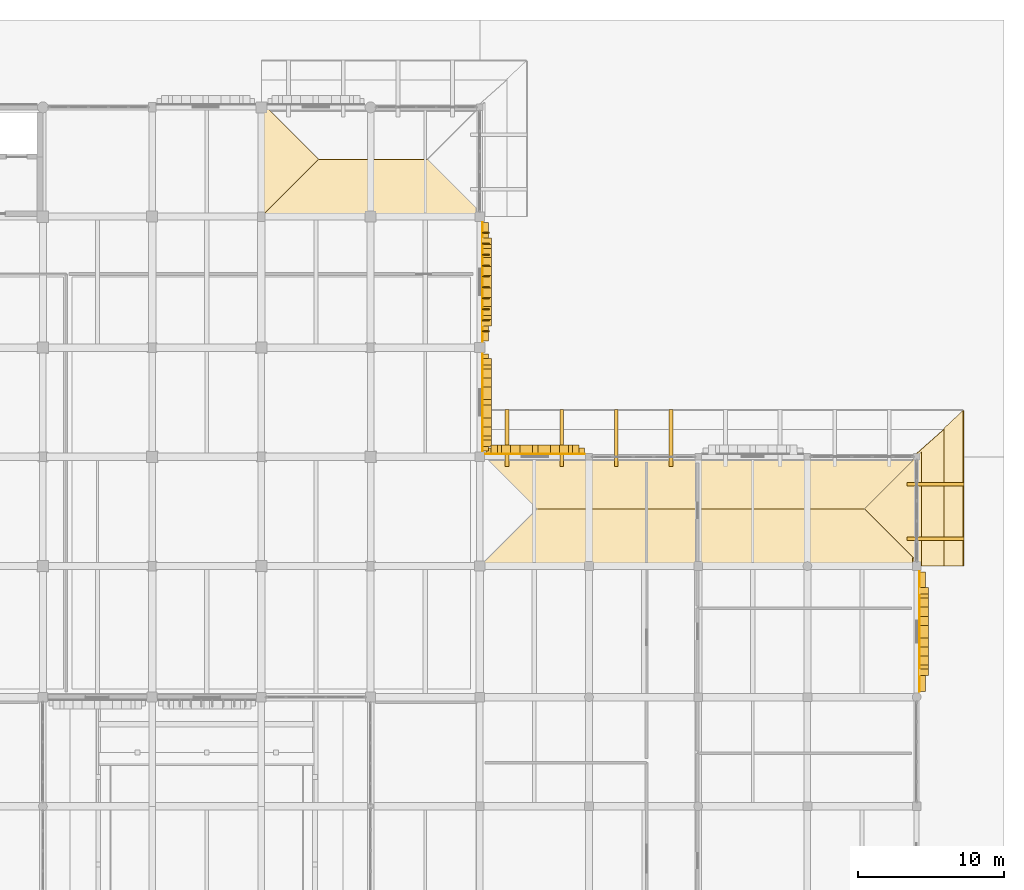
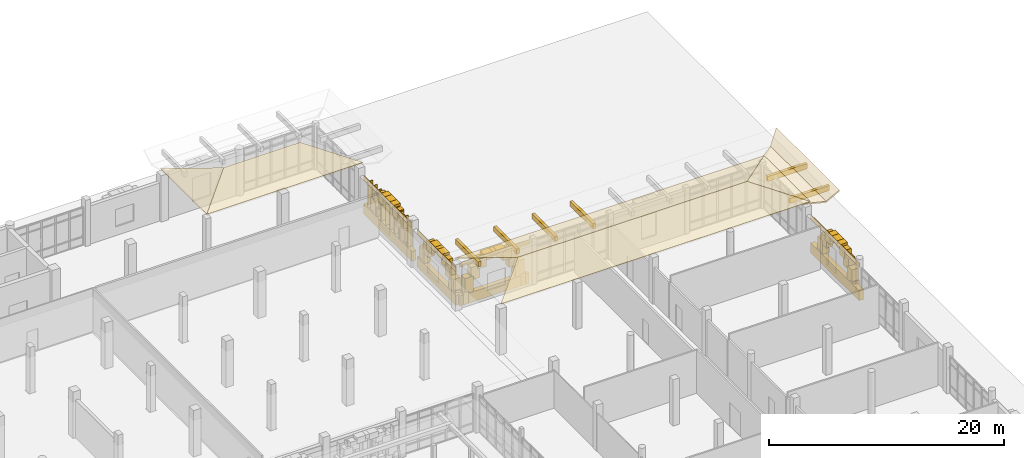
# One storey, part 124 of 125: 65 coverings, 10 shading devices.
"""IFC4 building model written with IfcOpenShell, lengths in metres."""

from ifc_helpers import new_model, si_unit, direction, frame, origin, origin_2d, place, context, subcontext, project, spatial, polyline, rectangle, outline, extrude, material, layer, layer_set, type_object, element, save


model = new_model("IFC4")

# Units and contexts
model_context = context("Model", 3, precision=1e-05, world=origin(), true_north=direction((0.0, 1.0)))
body_context = subcontext(model_context, "Body", "Model", "MODEL_VIEW")
ifc_project = project(units=[si_unit("LENGTHUNIT", "METRE"), si_unit("AREAUNIT", "SQUARE_METRE"), si_unit("VOLUMEUNIT", "CUBIC_METRE"), si_unit("PLANEANGLEUNIT", "RADIAN"), si_unit("MASSUNIT", "GRAM", prefix="KILO")], contexts=[model_context])

# Site, building, storey
site_placement = place(None, origin())
site = spatial("IfcSite", under=ifc_project, at=site_placement, CompositionType="ELEMENT")
building_placement = place(site_placement, origin())
building = spatial("IfcBuilding", under=site, at=building_placement, Name="Dalvernix Boulevard General Hospital", CompositionType="ELEMENT")
storey_placement = place(building_placement, origin())
storey = spatial("IfcBuildingStorey", under=building, at=storey_placement, Name="L00", CompositionType="ELEMENT", Elevation=0.0)

# Coverings
ifc_material_1 = material(Name="Pressed Catalan clay brick and dressed limestone parabolic archivolt", Category="masonry")
ifc_layer_1 = layer(ifc_material_1, 0.419921875)
ifc_layer_set_1 = layer_set([ifc_layer_1], Name="Pressed Catalan clay brick and dressed limestone parabolic archivolt (COV-ARC-01)")
covering_type_1 = type_object("IfcCoveringType", Name="COV-ARC-01", PredefinedType="CLADDING", material=ifc_layer_set_1)
for number, where, z_axis, x_axis, name in (
    (1, (142.985107421875, 99.53759765625, 0.0), (0.0, 0.0, 1.0), (0.0, -1.0, 0.0), "L00 Catalan parabolic arch impost pier E 19-12-L"),
    (2, (142.985107421875, 93.9375, 0.0), (0.0, 0.0, 1.0), (0.0, -1.0, 0.0), "L00 Catalan parabolic arch impost pier E 19-12-R"),
):
    element("IfcCovering", number, at=place(storey_placement, frame(where, z_axis=z_axis, x_axis=x_axis)), inside=storey, type_object=covering_type_1, Name=name, PredefinedType="CLADDING", context=body_context, shape_type="SweptSolid", body=[
        extrude(rectangle(XDim=0.4599609375, YDim=0.659912109375, at=origin_2d()), origin(), (0.0, 0.0, 1.0), 1.25),
    ])
covering_1_placement = place(storey_placement, frame((142.985107421875, 99.226318359375, 1.06005859375), z_axis=(0.0, 0.0, 1.0), x_axis=(0.0, -1.0, 0.0)))
element("IfcCovering", 3, at=covering_1_placement, inside=storey, type_object=covering_type_1, Name="L00 Catalan parabolic archivolt voussoir E 19-12-1", PredefinedType="CLADDING", context=body_context, shape_type="SweptSolid", body=[
    extrude(rectangle(XDim=0.8623046875, YDim=0.659912109375, at=origin_2d()), origin(), (0.0, 0.0, 1.0), 1.37939453125),
])
covering_2_placement = place(storey_placement, frame((142.985107421875, 98.604248046875, 2.0595703125), z_axis=(0.0, 0.0, 1.0), x_axis=(0.0, -1.0, 0.0)))
element("IfcCovering", 4, at=covering_2_placement, inside=storey, type_object=covering_type_1, Name="L00 Catalan parabolic archivolt voussoir E 19-12-2", PredefinedType="CLADDING", context=body_context, shape_type="SweptSolid", body=[
    extrude(rectangle(XDim=0.8623046875, YDim=0.659912109375, at=origin_2d()), origin(), (0.0, 0.0, 1.0), 1.129638671875),
])
covering_3_placement = place(storey_placement, frame((142.985107421875, 97.98193359375, 2.80908203125), z_axis=(0.0, 0.0, 1.0), x_axis=(0.0, -1.0, 0.0)))
element("IfcCovering", 5, at=covering_3_placement, inside=storey, type_object=covering_type_1, Name="L00 Catalan parabolic archivolt voussoir E 19-12-3", PredefinedType="CLADDING", context=body_context, shape_type="SweptSolid", body=[
    extrude(rectangle(XDim=0.8623046875, YDim=0.659912109375, at=origin_2d()), origin(), (0.0, 0.0, 1.0), 0.8798828125),
])
covering_4_placement = place(storey_placement, frame((142.985107421875, 97.359619140625, 3.308837890625), z_axis=(0.0, 0.0, 1.0), x_axis=(0.0, -1.0, 0.0)))
element("IfcCovering", 6, at=covering_4_placement, inside=storey, type_object=covering_type_1, Name="L00 Catalan parabolic archivolt voussoir E 19-12-4", PredefinedType="CLADDING", context=body_context, shape_type="SweptSolid", body=[
    extrude(rectangle(XDim=0.8623046875, YDim=0.659912109375, at=origin_2d()), origin(), (0.0, 0.0, 1.0), 0.6298828125),
])
covering_5_placement = place(storey_placement, frame((142.985107421875, 96.737548828125, 3.558837890625), z_axis=(0.0, 0.0, 1.0), x_axis=(0.0, -1.0, 0.0)))
element("IfcCovering", 7, at=covering_5_placement, inside=storey, type_object=covering_type_1, Name="L00 Catalan parabolic archivolt voussoir E 19-12-5", PredefinedType="CLADDING", context=body_context, shape_type="SweptSolid", body=[
    extrude(rectangle(XDim=0.8623046875, YDim=0.659912109375, at=origin_2d()), origin(), (0.0, 0.0, 1.0), 0.3798828125),
])
covering_6_placement = place(storey_placement, frame((142.985107421875, 96.115234375, 3.308837890625), z_axis=(0.0, 0.0, 1.0), x_axis=(0.0, -1.0, 0.0)))
element("IfcCovering", 8, at=covering_6_placement, inside=storey, type_object=covering_type_1, Name="L00 Catalan parabolic archivolt voussoir E 19-12-6", PredefinedType="CLADDING", context=body_context, shape_type="SweptSolid", body=[
    extrude(rectangle(XDim=0.8623046875, YDim=0.659912109375, at=origin_2d()), origin(), (0.0, 0.0, 1.0), 0.6298828125),
])
covering_7_placement = place(storey_placement, frame((142.985107421875, 95.4931640625, 2.80908203125), z_axis=(0.0, 0.0, 1.0), x_axis=(0.0, -1.0, 0.0)))
element("IfcCovering", 9, at=covering_7_placement, inside=storey, type_object=covering_type_1, Name="L00 Catalan parabolic archivolt voussoir E 19-12-7", PredefinedType="CLADDING", context=body_context, shape_type="SweptSolid", body=[
    extrude(rectangle(XDim=0.8623046875, YDim=0.659912109375, at=origin_2d()), origin(), (0.0, 0.0, 1.0), 0.8798828125),
])
covering_8_placement = place(storey_placement, frame((142.985107421875, 94.870849609375, 2.0595703125), z_axis=(0.0, 0.0, 1.0), x_axis=(0.0, -1.0, 0.0)))
element("IfcCovering", 10, at=covering_8_placement, inside=storey, type_object=covering_type_1, Name="L00 Catalan parabolic archivolt voussoir E 19-12-8", PredefinedType="CLADDING", context=body_context, shape_type="SweptSolid", body=[
    extrude(rectangle(XDim=0.8623046875, YDim=0.659912109375, at=origin_2d()), origin(), (0.0, 0.0, 1.0), 1.129638671875),
])
covering_9_placement = place(storey_placement, frame((142.985107421875, 94.24853515625, 1.06005859375), z_axis=(0.0, 0.0, 1.0), x_axis=(0.0, -1.0, 0.0)))
element("IfcCovering", 11, at=covering_9_placement, inside=storey, type_object=covering_type_1, Name="L00 Catalan parabolic archivolt voussoir E 19-12-9", PredefinedType="CLADDING", context=body_context, shape_type="SweptSolid", body=[
    extrude(rectangle(XDim=0.8623046875, YDim=0.659912109375, at=origin_2d()), origin(), (0.0, 0.0, 1.0), 1.37939453125),
])
for number, where, z_axis, x_axis, name in (
    (12, (142.985107421875, 107.8125, 0.0), (0.0, 0.0, 1.0), (0.0, -1.0, 0.0), "L00 Catalan parabolic arch impost pier E 19-13-L"),
    (13, (142.985107421875, 102.21240234375, 0.0), (0.0, 0.0, 1.0), (0.0, -1.0, 0.0), "L00 Catalan parabolic arch impost pier E 19-13-R"),
):
    element("IfcCovering", number, at=place(storey_placement, frame(where, z_axis=z_axis, x_axis=x_axis)), inside=storey, type_object=covering_type_1, Name=name, PredefinedType="CLADDING", context=body_context, shape_type="SweptSolid", body=[
        extrude(rectangle(XDim=0.4599609375, YDim=0.659912109375, at=origin_2d()), origin(), (0.0, 0.0, 1.0), 1.25),
    ])
covering_10_placement = place(storey_placement, frame((142.985107421875, 107.50146484375, 1.059814453125), z_axis=(0.0, 0.0, 1.0), x_axis=(0.0, -1.0, 0.0)))
element("IfcCovering", 14, at=covering_10_placement, inside=storey, type_object=covering_type_1, Name="L00 Catalan parabolic archivolt voussoir E 19-13-1", PredefinedType="CLADDING", context=body_context, shape_type="SweptSolid", body=[
    extrude(rectangle(XDim=0.8623046875, YDim=0.659912109375, at=origin_2d()), origin(), (0.0, 0.0, 1.0), 1.3994140625),
])
covering_11_placement = place(storey_placement, frame((142.985107421875, 106.879150390625, 2.07958984375), z_axis=(0.0, 0.0, 1.0), x_axis=(0.0, -1.0, 0.0)))
element("IfcCovering", 15, at=covering_11_placement, inside=storey, type_object=covering_type_1, Name="L00 Catalan parabolic archivolt voussoir E 19-13-2", PredefinedType="CLADDING", context=body_context, shape_type="SweptSolid", body=[
    extrude(rectangle(XDim=0.8623046875, YDim=0.659912109375, at=origin_2d()), origin(), (0.0, 0.0, 1.0), 1.144287109375),
])
covering_12_placement = place(storey_placement, frame((142.985107421875, 106.2568359375, 2.84375), z_axis=(0.0, 0.0, 1.0), x_axis=(0.0, -1.0, 0.0)))
element("IfcCovering", 16, at=covering_12_placement, inside=storey, type_object=covering_type_1, Name="L00 Catalan parabolic archivolt voussoir E 19-13-3", PredefinedType="CLADDING", context=body_context, shape_type="SweptSolid", body=[
    extrude(rectangle(XDim=0.8623046875, YDim=0.659912109375, at=origin_2d()), origin(), (0.0, 0.0, 1.0), 0.8896484375),
])
covering_13_placement = place(storey_placement, frame((142.985107421875, 105.634765625, 3.353271484375), z_axis=(0.0, 0.0, 1.0), x_axis=(0.0, -1.0, 0.0)))
element("IfcCovering", 17, at=covering_13_placement, inside=storey, type_object=covering_type_1, Name="L00 Catalan parabolic archivolt voussoir E 19-13-4", PredefinedType="CLADDING", context=body_context, shape_type="SweptSolid", body=[
    extrude(rectangle(XDim=0.8623046875, YDim=0.659912109375, at=origin_2d()), origin(), (0.0, 0.0, 1.0), 0.634765625),
])
covering_14_placement = place(storey_placement, frame((142.985107421875, 105.012451171875, 3.608154296875), z_axis=(0.0, 0.0, 1.0), x_axis=(0.0, -1.0, 0.0)))
element("IfcCovering", 18, at=covering_14_placement, inside=storey, type_object=covering_type_1, Name="L00 Catalan parabolic archivolt voussoir E 19-13-5", PredefinedType="CLADDING", context=body_context, shape_type="SweptSolid", body=[
    extrude(rectangle(XDim=0.8623046875, YDim=0.659912109375, at=origin_2d()), origin(), (0.0, 0.0, 1.0), 0.3798828125),
])
covering_15_placement = place(storey_placement, frame((142.985107421875, 104.390380859375, 3.353271484375), z_axis=(0.0, 0.0, 1.0), x_axis=(0.0, -1.0, 0.0)))
element("IfcCovering", 19, at=covering_15_placement, inside=storey, type_object=covering_type_1, Name="L00 Catalan parabolic archivolt voussoir E 19-13-6", PredefinedType="CLADDING", context=body_context, shape_type="SweptSolid", body=[
    extrude(rectangle(XDim=0.8623046875, YDim=0.659912109375, at=origin_2d()), origin(), (0.0, 0.0, 1.0), 0.634765625),
])
covering_16_placement = place(storey_placement, frame((142.985107421875, 103.76806640625, 2.84375), z_axis=(0.0, 0.0, 1.0), x_axis=(0.0, -1.0, 0.0)))
element("IfcCovering", 20, at=covering_16_placement, inside=storey, type_object=covering_type_1, Name="L00 Catalan parabolic archivolt voussoir E 19-13-7", PredefinedType="CLADDING", context=body_context, shape_type="SweptSolid", body=[
    extrude(rectangle(XDim=0.8623046875, YDim=0.659912109375, at=origin_2d()), origin(), (0.0, 0.0, 1.0), 0.8896484375),
])
covering_17_placement = place(storey_placement, frame((142.985107421875, 103.145751953125, 2.07958984375), z_axis=(0.0, 0.0, 1.0), x_axis=(0.0, -1.0, 0.0)))
element("IfcCovering", 21, at=covering_17_placement, inside=storey, type_object=covering_type_1, Name="L00 Catalan parabolic archivolt voussoir E 19-13-8", PredefinedType="CLADDING", context=body_context, shape_type="SweptSolid", body=[
    extrude(rectangle(XDim=0.8623046875, YDim=0.659912109375, at=origin_2d()), origin(), (0.0, 0.0, 1.0), 1.144287109375),
])
covering_18_placement = place(storey_placement, frame((142.985107421875, 102.523681640625, 1.059814453125), z_axis=(0.0, 0.0, 1.0), x_axis=(0.0, -1.0, 0.0)))
element("IfcCovering", 22, at=covering_18_placement, inside=storey, type_object=covering_type_1, Name="L00 Catalan parabolic archivolt voussoir E 19-13-9", PredefinedType="CLADDING", context=body_context, shape_type="SweptSolid", body=[
    extrude(rectangle(XDim=0.8623046875, YDim=0.659912109375, at=origin_2d()), origin(), (0.0, 0.0, 1.0), 1.3994140625),
])
for number, where, z_axis, x_axis, name in (
    (23, (143.5, 93.485107421875, 0.0), (0.0, 0.0, 1.0), (1.0, 0.0, 0.0), "L00 Catalan parabolic arch impost pier N 19-12-L"),
    (24, (149.10009765625, 93.485107421875, 0.0), (0.0, 0.0, 1.0), (1.0, 0.0, 0.0), "L00 Catalan parabolic arch impost pier N 19-12-R"),
):
    element("IfcCovering", number, at=place(storey_placement, frame(where, z_axis=z_axis, x_axis=x_axis)), inside=storey, type_object=covering_type_1, Name=name, PredefinedType="CLADDING", context=body_context, shape_type="SweptSolid", body=[
        extrude(rectangle(XDim=0.4599609375, YDim=0.659912109375, at=origin_2d()), origin(), (0.0, 0.0, 1.0), 1.25),
    ])
covering_19_placement = place(storey_placement, frame((143.81103515625, 93.485107421875, 1.06005859375), z_axis=(0.0, 0.0, 1.0), x_axis=(1.0, 0.0, 0.0)))
element("IfcCovering", 25, at=covering_19_placement, inside=storey, type_object=covering_type_1, Name="L00 Catalan parabolic archivolt voussoir N 19-12-1", PredefinedType="CLADDING", context=body_context, shape_type="SweptSolid", body=[
    extrude(rectangle(XDim=0.8623046875, YDim=0.659912109375, at=origin_2d()), origin(), (0.0, 0.0, 1.0), 1.616455078125),
])
covering_20_placement = place(storey_placement, frame((144.433349609375, 93.485107421875, 2.29638671875), z_axis=(0.0, 0.0, 1.0), x_axis=(1.0, 0.0, 0.0)))
element("IfcCovering", 26, at=covering_20_placement, inside=storey, type_object=covering_type_1, Name="L00 Catalan parabolic archivolt voussoir N 19-12-2", PredefinedType="CLADDING", context=body_context, shape_type="SweptSolid", body=[
    extrude(rectangle(XDim=0.8623046875, YDim=0.659912109375, at=origin_2d()), origin(), (0.0, 0.0, 1.0), 1.307373046875),
])
covering_21_placement = place(storey_placement, frame((145.0556640625, 93.485107421875, 3.22412109375), z_axis=(0.0, 0.0, 1.0), x_axis=(1.0, 0.0, 0.0)))
element("IfcCovering", 27, at=covering_21_placement, inside=storey, type_object=covering_type_1, Name="L00 Catalan parabolic archivolt voussoir N 19-12-3", PredefinedType="CLADDING", context=body_context, shape_type="SweptSolid", body=[
    extrude(rectangle(XDim=0.8623046875, YDim=0.659912109375, at=origin_2d()), origin(), (0.0, 0.0, 1.0), 0.998291015625),
])
covering_22_placement = place(storey_placement, frame((145.677734375, 93.485107421875, 3.84228515625), z_axis=(0.0, 0.0, 1.0), x_axis=(1.0, 0.0, 0.0)))
element("IfcCovering", 28, at=covering_22_placement, inside=storey, type_object=covering_type_1, Name="L00 Catalan parabolic archivolt voussoir N 19-12-4", PredefinedType="CLADDING", context=body_context, shape_type="SweptSolid", body=[
    extrude(rectangle(XDim=0.8623046875, YDim=0.659912109375, at=origin_2d()), origin(), (0.0, 0.0, 1.0), 0.689208984375),
])
covering_23_placement = place(storey_placement, frame((146.300048828125, 93.485107421875, 4.1513671875), z_axis=(0.0, 0.0, 1.0), x_axis=(1.0, 0.0, 0.0)))
element("IfcCovering", 29, at=covering_23_placement, inside=storey, type_object=covering_type_1, Name="L00 Catalan parabolic archivolt voussoir N 19-12-5", PredefinedType="CLADDING", context=body_context, shape_type="SweptSolid", body=[
    extrude(rectangle(XDim=0.8623046875, YDim=0.659912109375, at=origin_2d()), origin(), (0.0, 0.0, 1.0), 0.3798828125),
])
covering_24_placement = place(storey_placement, frame((146.922119140625, 93.485107421875, 3.84228515625), z_axis=(0.0, 0.0, 1.0), x_axis=(1.0, 0.0, 0.0)))
element("IfcCovering", 30, at=covering_24_placement, inside=storey, type_object=covering_type_1, Name="L00 Catalan parabolic archivolt voussoir N 19-12-6", PredefinedType="CLADDING", context=body_context, shape_type="SweptSolid", body=[
    extrude(rectangle(XDim=0.8623046875, YDim=0.659912109375, at=origin_2d()), origin(), (0.0, 0.0, 1.0), 0.689208984375),
])
covering_25_placement = place(storey_placement, frame((147.54443359375, 93.485107421875, 3.22412109375), z_axis=(0.0, 0.0, 1.0), x_axis=(1.0, 0.0, 0.0)))
element("IfcCovering", 31, at=covering_25_placement, inside=storey, type_object=covering_type_1, Name="L00 Catalan parabolic archivolt voussoir N 19-12-7", PredefinedType="CLADDING", context=body_context, shape_type="SweptSolid", body=[
    extrude(rectangle(XDim=0.8623046875, YDim=0.659912109375, at=origin_2d()), origin(), (0.0, 0.0, 1.0), 0.998291015625),
])
covering_26_placement = place(storey_placement, frame((148.166748046875, 93.485107421875, 2.29638671875), z_axis=(0.0, 0.0, 1.0), x_axis=(1.0, 0.0, 0.0)))
element("IfcCovering", 32, at=covering_26_placement, inside=storey, type_object=covering_type_1, Name="L00 Catalan parabolic archivolt voussoir N 19-12-8", PredefinedType="CLADDING", context=body_context, shape_type="SweptSolid", body=[
    extrude(rectangle(XDim=0.8623046875, YDim=0.659912109375, at=origin_2d()), origin(), (0.0, 0.0, 1.0), 1.307373046875),
])
covering_27_placement = place(storey_placement, frame((148.788818359375, 93.485107421875, 1.06005859375), z_axis=(0.0, 0.0, 1.0), x_axis=(1.0, 0.0, 0.0)))
element("IfcCovering", 33, at=covering_27_placement, inside=storey, type_object=covering_type_1, Name="L00 Catalan parabolic archivolt voussoir N 19-12-9", PredefinedType="CLADDING", context=body_context, shape_type="SweptSolid", body=[
    extrude(rectangle(XDim=0.8623046875, YDim=0.659912109375, at=origin_2d()), origin(), (0.0, 0.0, 1.0), 1.616455078125),
])
for number, where, z_axis, x_axis, name in (
    (34, (172.985107421875, 83.800048828125, 0.0), (0.0, 0.0, 1.0), (0.0, -1.0, 0.0), "L00 Catalan parabolic arch impost pier E 23-10-L"),
    (35, (172.985107421875, 78.199951171875, 0.0), (0.0, 0.0, 1.0), (0.0, -1.0, 0.0), "L00 Catalan parabolic arch impost pier E 23-10-R"),
):
    element("IfcCovering", number, at=place(storey_placement, frame(where, z_axis=z_axis, x_axis=x_axis)), inside=storey, type_object=covering_type_1, Name=name, PredefinedType="CLADDING", context=body_context, shape_type="SweptSolid", body=[
        extrude(rectangle(XDim=0.4599609375, YDim=0.659912109375, at=origin_2d()), origin(), (0.0, 0.0, 1.0), 1.25),
    ])
covering_28_placement = place(storey_placement, frame((172.985107421875, 83.489013671875, 1.059814453125), z_axis=(0.0, 0.0, 1.0), x_axis=(0.0, -1.0, 0.0)))
element("IfcCovering", 36, at=covering_28_placement, inside=storey, type_object=covering_type_1, Name="L00 Catalan parabolic archivolt voussoir E 23-10-1", PredefinedType="CLADDING", context=body_context, shape_type="SweptSolid", body=[
    extrude(rectangle(XDim=0.8623046875, YDim=0.659912109375, at=origin_2d()), origin(), (0.0, 0.0, 1.0), 1.3994140625),
])
covering_29_placement = place(storey_placement, frame((172.985107421875, 82.86669921875, 2.07958984375), z_axis=(0.0, 0.0, 1.0), x_axis=(0.0, -1.0, 0.0)))
element("IfcCovering", 37, at=covering_29_placement, inside=storey, type_object=covering_type_1, Name="L00 Catalan parabolic archivolt voussoir E 23-10-2", PredefinedType="CLADDING", context=body_context, shape_type="SweptSolid", body=[
    extrude(rectangle(XDim=0.8623046875, YDim=0.659912109375, at=origin_2d()), origin(), (0.0, 0.0, 1.0), 1.144287109375),
])
covering_30_placement = place(storey_placement, frame((172.985107421875, 82.244384765625, 2.84375), z_axis=(0.0, 0.0, 1.0), x_axis=(0.0, -1.0, 0.0)))
element("IfcCovering", 38, at=covering_30_placement, inside=storey, type_object=covering_type_1, Name="L00 Catalan parabolic archivolt voussoir E 23-10-3", PredefinedType="CLADDING", context=body_context, shape_type="SweptSolid", body=[
    extrude(rectangle(XDim=0.8623046875, YDim=0.659912109375, at=origin_2d()), origin(), (0.0, 0.0, 1.0), 0.8896484375),
])
covering_31_placement = place(storey_placement, frame((172.985107421875, 81.622314453125, 3.353271484375), z_axis=(0.0, 0.0, 1.0), x_axis=(0.0, -1.0, 0.0)))
element("IfcCovering", 39, at=covering_31_placement, inside=storey, type_object=covering_type_1, Name="L00 Catalan parabolic archivolt voussoir E 23-10-4", PredefinedType="CLADDING", context=body_context, shape_type="SweptSolid", body=[
    extrude(rectangle(XDim=0.8623046875, YDim=0.659912109375, at=origin_2d()), origin(), (0.0, 0.0, 1.0), 0.634765625),
])
covering_32_placement = place(storey_placement, frame((172.985107421875, 81.0, 3.608154296875), z_axis=(0.0, 0.0, 1.0), x_axis=(0.0, -1.0, 0.0)))
element("IfcCovering", 40, at=covering_32_placement, inside=storey, type_object=covering_type_1, Name="L00 Catalan parabolic archivolt voussoir E 23-10-5", PredefinedType="CLADDING", context=body_context, shape_type="SweptSolid", body=[
    extrude(rectangle(XDim=0.8623046875, YDim=0.659912109375, at=origin_2d()), origin(), (0.0, 0.0, 1.0), 0.3798828125),
])
covering_33_placement = place(storey_placement, frame((172.985107421875, 80.377685546875, 3.353271484375), z_axis=(0.0, 0.0, 1.0), x_axis=(0.0, -1.0, 0.0)))
element("IfcCovering", 41, at=covering_33_placement, inside=storey, type_object=covering_type_1, Name="L00 Catalan parabolic archivolt voussoir E 23-10-6", PredefinedType="CLADDING", context=body_context, shape_type="SweptSolid", body=[
    extrude(rectangle(XDim=0.8623046875, YDim=0.659912109375, at=origin_2d()), origin(), (0.0, 0.0, 1.0), 0.634765625),
])
covering_34_placement = place(storey_placement, frame((172.985107421875, 79.755615234375, 2.84375), z_axis=(0.0, 0.0, 1.0), x_axis=(0.0, -1.0, 0.0)))
element("IfcCovering", 42, at=covering_34_placement, inside=storey, type_object=covering_type_1, Name="L00 Catalan parabolic archivolt voussoir E 23-10-7", PredefinedType="CLADDING", context=body_context, shape_type="SweptSolid", body=[
    extrude(rectangle(XDim=0.8623046875, YDim=0.659912109375, at=origin_2d()), origin(), (0.0, 0.0, 1.0), 0.8896484375),
])
covering_35_placement = place(storey_placement, frame((172.985107421875, 79.13330078125, 2.07958984375), z_axis=(0.0, 0.0, 1.0), x_axis=(0.0, -1.0, 0.0)))
element("IfcCovering", 43, at=covering_35_placement, inside=storey, type_object=covering_type_1, Name="L00 Catalan parabolic archivolt voussoir E 23-10-8", PredefinedType="CLADDING", context=body_context, shape_type="SweptSolid", body=[
    extrude(rectangle(XDim=0.8623046875, YDim=0.659912109375, at=origin_2d()), origin(), (0.0, 0.0, 1.0), 1.144287109375),
])
covering_36_placement = place(storey_placement, frame((172.985107421875, 78.510986328125, 1.059814453125), z_axis=(0.0, 0.0, 1.0), x_axis=(0.0, -1.0, 0.0)))
element("IfcCovering", 44, at=covering_36_placement, inside=storey, type_object=covering_type_1, Name="L00 Catalan parabolic archivolt voussoir E 23-10-9", PredefinedType="CLADDING", context=body_context, shape_type="SweptSolid", body=[
    extrude(rectangle(XDim=0.8623046875, YDim=0.659912109375, at=origin_2d()), origin(), (0.0, 0.0, 1.0), 1.3994140625),
])
ifc_material_2 = material(Name="Polychrome Catalan glazed ceramic spandrel tile panel")
ifc_layer_2 = layer(ifc_material_2, 0.044921875)
ifc_layer_set_2 = layer_set([ifc_layer_2], Name="Polychrome Catalan glazed ceramic spandrel tile panel (COV-CLD-01)")
covering_type_2 = type_object("IfcCoveringType", Name="COV-CLD-01", PredefinedType="CLADDING", material=ifc_layer_set_2)
covering_37_placement = place(storey_placement, frame((142.695068359375, 96.737548828125, 3.4248046875), z_axis=(0.0, 0.0, 1.0), x_axis=(0.0, -1.0, 0.0)))
element("IfcCovering", 45, at=covering_37_placement, inside=storey, type_object=covering_type_2, Name="L00 polychrome ceramic spandrel E 19-12", PredefinedType="CLADDING", context=body_context, shape_type="SweptSolid", body=[
    extrude(rectangle(XDim=6.705078125, YDim=0.044921875, at=origin_2d()), origin(), (0.0, 0.0, 1.0), 0.449951171875),
])
covering_38_placement = place(storey_placement, frame((142.695068359375, 105.012451171875, 3.47509765625), z_axis=(0.0, 0.0, 1.0), x_axis=(0.0, -1.0, 0.0)))
element("IfcCovering", 46, at=covering_38_placement, inside=storey, type_object=covering_type_2, Name="L00 polychrome ceramic spandrel E 19-13", PredefinedType="CLADDING", context=body_context, shape_type="SweptSolid", body=[
    extrude(rectangle(XDim=8.205078125, YDim=0.044921875, at=origin_2d()), origin(), (0.0, 0.0, 1.0), 0.449951171875),
])
covering_39_placement = place(storey_placement, frame((146.300048828125, 93.195068359375, 4.02490234375), z_axis=(0.0, 0.0, 1.0), x_axis=(1.0, 0.0, 0.0)))
element("IfcCovering", 47, at=covering_39_placement, inside=storey, type_object=covering_type_2, Name="L00 polychrome ceramic spandrel N 19-12", PredefinedType="CLADDING", context=body_context, shape_type="SweptSolid", body=[
    extrude(rectangle(XDim=6.830078125, YDim=0.044921875, at=origin_2d()), origin(), (0.0, 0.0, 1.0), 0.449951171875),
])
covering_40_placement = place(storey_placement, frame((172.695068359375, 81.0, 3.47509765625), z_axis=(0.0, 0.0, 1.0), x_axis=(0.0, -1.0, 0.0)))
element("IfcCovering", 48, at=covering_40_placement, inside=storey, type_object=covering_type_2, Name="L00 polychrome ceramic spandrel E 23-10", PredefinedType="CLADDING", context=body_context, shape_type="SweptSolid", body=[
    extrude(rectangle(XDim=8.280029296875, YDim=0.044921875, at=origin_2d()), origin(), (0.0, 0.0, 1.0), 0.449951171875),
])
ifc_material_3 = material(Name="Dressed ochre limestone classical plinth, stringcourse and corbelled cornice", Category="masonry")
ifc_layer_3 = layer(ifc_material_3, 0.449951171875)
ifc_layer_set_3 = layer_set([ifc_layer_3], Name="Dressed ochre limestone classical plinth, stringcourse and corbelled cornice (COV-CRN-01)")
covering_type_3 = type_object("IfcCoveringType", Name="COV-CRN-01", PredefinedType="CLADDING", material=ifc_layer_set_3)
covering_41_placement = place(storey_placement, frame((142.875, 96.737548828125, 0.0), z_axis=(0.0, 0.0, 1.0), x_axis=(0.0, -1.0, 0.0)))
element("IfcCovering", 49, at=covering_41_placement, inside=storey, type_object=covering_type_3, Name="L00 rusticated limestone classical plinth E 19-12", PredefinedType="CLADDING", context=body_context, shape_type="SweptSolid", body=[
    extrude(rectangle(XDim=6.64501953125, YDim=0.43994140625, at=origin_2d()), origin(), (0.0, 0.0, 1.0), 1.0400390625),
])
covering_42_placement = place(storey_placement, frame((142.875, 105.012451171875, 0.0), z_axis=(0.0, 0.0, 1.0), x_axis=(0.0, -1.0, 0.0)))
element("IfcCovering", 50, at=covering_42_placement, inside=storey, type_object=covering_type_3, Name="L00 rusticated limestone classical plinth E 19-13", PredefinedType="CLADDING", context=body_context, shape_type="SweptSolid", body=[
    extrude(rectangle(XDim=8.14501953125, YDim=0.43994140625, at=origin_2d()), origin(), (0.0, 0.0, 1.0), 1.0400390625),
])
covering_43_placement = place(storey_placement, frame((146.300048828125, 93.375, 0.0), z_axis=(0.0, 0.0, 1.0), x_axis=(1.0, 0.0, 0.0)))
element("IfcCovering", 51, at=covering_43_placement, inside=storey, type_object=covering_type_3, Name="L00 rusticated limestone classical plinth N 19-12", PredefinedType="CLADDING", context=body_context, shape_type="SweptSolid", body=[
    extrude(rectangle(XDim=6.77001953125, YDim=0.43994140625, at=origin_2d()), origin(), (0.0, 0.0, 1.0), 1.0400390625),
])
covering_44_placement = place(storey_placement, frame((172.875, 81.0, 0.0), z_axis=(0.0, 0.0, 1.0), x_axis=(0.0, -1.0, 0.0)))
element("IfcCovering", 52, at=covering_44_placement, inside=storey, type_object=covering_type_3, Name="L00 rusticated limestone classical plinth E 23-10", PredefinedType="CLADDING", context=body_context, shape_type="SweptSolid", body=[
    extrude(rectangle(XDim=8.219970703125, YDim=0.43994140625, at=origin_2d()), origin(), (0.0, 0.0, 1.0), 1.0400390625),
])
ifc_material_4 = material(Name="Glazed Catalan terracotta and iroko timber overhanging upturned eave", Category="masonry")
ifc_layer_4 = layer(ifc_material_4, 0.139892578125)
ifc_layer_set_4 = layer_set([ifc_layer_4], Name="Glazed Catalan terracotta and iroko timber overhanging upturned eave (COV-EAVE-01)")
covering_type_4 = type_object("IfcCoveringType", Name="COV-EAVE-01", PredefinedType="CLADDING", material=ifc_layer_set_4)
covering_45_placement = place(storey_placement, frame((172.25, 85.5, 5.006103515625), z_axis=(0.230038471981, 0.0, 0.97318153569), x_axis=(0.0, 1.0, 0.0)))
element("IfcCovering", 53, at=covering_45_placement, inside=storey, type_object=covering_type_4, Name="V2-L00N overhanging ceramic eave skirt E", PredefinedType="CLADDING", context=body_context, shape_type="SweptSolid", body=[
    extrude(outline(polyline([(0.0, 0.0), (7.5, 0.0), (9.449951171875, -2.2605763582581444), (0.0, -2.2605763582581444), (0.0, 0.0)])), origin(), (0.0, 0.0, -1.0), 0.139892578125),
])
covering_46_placement = place(storey_placement, frame((174.3701171875, 85.5, 4.486083984375), z_axis=(-0.476101106464, 0.0, 0.879390548291), x_axis=(0.0, 1.0, 0.0)))
element("IfcCovering", 54, at=covering_46_placement, inside=storey, type_object=covering_type_4, Name="V2-L00N upturned ceramic eave wing E", PredefinedType="CLADDING", context=body_context, shape_type="SweptSolid", body=[
    extrude(outline(polyline([(0.0, 0.0), (9.449951171875, 0.0), (10.699951171875, -1.5122222850351714), (0.0, -1.5122222850351714), (0.0, 0.0)])), origin(), (0.0, 0.0, -1.0), 0.139892578125),
])
ifc_material_5 = material(Name="Preservative-treated glulam GL28h eave outlooker corbel bracket", Category="wood")
ifc_layer_5 = layer(ifc_material_5, 0.239990234375)
ifc_layer_set_5 = layer_set([ifc_layer_5], Name="Preservative-treated glulam GL28h eave outlooker corbel bracket (COV-OUTLOOK-01)")
covering_type_5 = type_object("IfcCoveringType", Name="COV-OUTLOOK-01", PredefinedType="CLADDING", material=ifc_layer_set_5)
for number, where, z_axis, x_axis, name in (
    (55, (144.375, 94.300048828125, 4.0859375), (0.0, 0.0, 1.0), (1.0, 0.0, 0.0), "V2-L00N glulam eave outlooker corbel N-1"),
    (56, (148.125, 94.300048828125, 4.0859375), (0.0, 0.0, 1.0), (1.0, 0.0, 0.0), "V2-L00N glulam eave outlooker corbel N-2"),
    (57, (151.875, 94.300048828125, 4.0859375), (0.0, 0.0, 1.0), (1.0, 0.0, 0.0), "V2-L00N glulam eave outlooker corbel N-3"),
    (58, (155.625, 94.300048828125, 4.0859375), (0.0, 0.0, 1.0), (1.0, 0.0, 0.0), "V2-L00N glulam eave outlooker corbel N-4"),
):
    element("IfcCovering", number, at=place(storey_placement, frame(where, z_axis=z_axis, x_axis=x_axis)), inside=storey, type_object=covering_type_5, Name=name, PredefinedType="CLADDING", context=body_context, shape_type="SweptSolid", body=[
        extrude(rectangle(XDim=0.260009765625, YDim=3.89990234375, at=origin_2d()), origin(), (0.0, 0.0, 1.0), 0.52001953125),
    ])
for number, where, z_axis, x_axis, name in (
    (59, (173.800048828125, 87.375, 4.0859375), (0.0, 0.0, 1.0), (1.0, 0.0, 0.0), "V2-L00N glulam eave outlooker corbel E-1"),
    (60, (173.800048828125, 91.125, 4.0859375), (0.0, 0.0, 1.0), (1.0, 0.0, 0.0), "V2-L00N glulam eave outlooker corbel E-2"),
):
    element("IfcCovering", number, at=place(storey_placement, frame(where, z_axis=z_axis, x_axis=x_axis)), inside=storey, type_object=covering_type_5, Name=name, PredefinedType="CLADDING", context=body_context, shape_type="SweptSolid", body=[
        extrude(rectangle(XDim=3.89990234375, YDim=0.260009765625, at=origin_2d()), origin(), (0.0, 0.0, 1.0), 0.52001953125),
    ])
ifc_material_6 = material(Name="Polychrome Catalan glazed terracotta roof tiles", Category="masonry")
ifc_layer_6 = layer(ifc_material_6, 0.050048828125)
ifc_layer_set_6 = layer_set([ifc_layer_6], Name="Polychrome Catalan glazed terracotta roof tiles (COV-ROOF-01)")
covering_type_6 = type_object("IfcCoveringType", Name="COV-ROOF-01", PredefinedType="ROOFING", material=ifc_layer_set_6)
covering_47_placement = place(storey_placement, frame((127.5, 109.5, 5.01611328125), z_axis=(0.0, -0.265536966303, 0.964100679144), x_axis=(1.0, 0.0, 0.0)))
element("IfcCovering", 61, at=covering_47_placement, inside=storey, type_object=covering_type_6, Name="V3-L00NE glazed terracotta tile slope S", PredefinedType="ROOFING", context=body_context, shape_type="SweptSolid", body=[
    extrude(outline(polyline([(0.0, 0.0), (15.35009765625, 0.0), (11.425048828125, 4.07120222299644), (3.925048828125, 4.07120222299644), (0.0, 0.0)])), origin(), (0.0, 0.0, -1.0), 0.050048828125),
])
covering_48_placement = place(storey_placement, frame((127.5, 117.35009765625, 5.01611328125), z_axis=(-0.265536966303, 0.0, 0.964100679144), x_axis=(0.0, -1.0, 0.0)))
element("IfcCovering", 62, at=covering_48_placement, inside=storey, type_object=covering_type_6, Name="V3-L00NE glazed terracotta tile slope W", PredefinedType="ROOFING", context=body_context, shape_type="SweptSolid", body=[
    extrude(outline(polyline([(0.0, 0.0), (7.85009765625, 0.0), (3.925048828125, 4.07120222299644), (0.0, 0.0)])), origin(), (0.0, 0.0, -1.0), 0.050048828125),
])
for number, where, z_axis, x_axis, name in (
    (63, (142.5, 85.5, 5.01611328125), (0.0, -0.265536966303, 0.964100679144), (1.0, 0.0, 0.0), "V2-L00N glazed terracotta tile slope S"),
    (64, (172.85009765625, 93.35009765625, 5.01611328125), (0.0, 0.265536966303, 0.964100679144), (-1.0, 0.0, 0.0), "V2-L00N glazed terracotta tile slope N"),
):
    element("IfcCovering", number, at=place(storey_placement, frame(where, z_axis=z_axis, x_axis=x_axis)), inside=storey, type_object=covering_type_6, Name=name, PredefinedType="ROOFING", context=body_context, shape_type="SweptSolid", body=[
        extrude(outline(polyline([(0.0, 0.0), (30.35009765625, 0.0), (26.425048828125, 4.07120222299644), (3.925048828125, 4.07120222299644), (0.0, 0.0)])), origin(), (0.0, 0.0, -1.0), 0.050048828125),
    ])
covering_49_placement = place(storey_placement, frame((172.85009765625, 85.5, 5.01611328125), z_axis=(0.265536966303, 0.0, 0.964100679144), x_axis=(0.0, 1.0, 0.0)))
element("IfcCovering", 65, at=covering_49_placement, inside=storey, type_object=covering_type_6, Name="V2-L00N glazed terracotta tile slope E", PredefinedType="ROOFING", context=body_context, shape_type="SweptSolid", body=[
    extrude(outline(polyline([(0.0, 0.0), (7.85009765625, 0.0), (3.925048828125, 4.07120222299644), (0.0, 0.0)])), origin(), (0.0, 0.0, -1.0), 0.050048828125),
])

# Shading devices
ifc_material_7 = material(Name="Preservative-treated West African iroko timber", Category="wood")
shading_device_type = type_object("IfcShadingDeviceType", Name="SHD-FIN-01", PredefinedType="USERDEFINED", material=ifc_material_7)
for number, where, z_axis, x_axis, name in (
    (66, (142.905029296875, 108.387451171875, 0.175048828125), (0.0, 0.0, 1.0), (0.0, -1.0, 0.0), "L00 iroko brise-soleil fin 1"),
    (67, (142.905029296875, 107.637451171875, 0.175048828125), (0.0, 0.0, 1.0), (0.0, -1.0, 0.0), "L00 iroko brise-soleil fin 2"),
    (68, (142.905029296875, 106.887451171875, 0.175048828125), (0.0, 0.0, 1.0), (0.0, -1.0, 0.0), "L00 iroko brise-soleil fin 3"),
    (69, (142.905029296875, 106.137451171875, 0.175048828125), (0.0, 0.0, 1.0), (0.0, -1.0, 0.0), "L00 iroko brise-soleil fin 4"),
    (70, (142.905029296875, 105.387451171875, 0.175048828125), (0.0, 0.0, 1.0), (0.0, -1.0, 0.0), "L00 iroko brise-soleil fin 5"),
    (71, (142.905029296875, 104.637451171875, 0.175048828125), (0.0, 0.0, 1.0), (0.0, -1.0, 0.0), "L00 iroko brise-soleil fin 6"),
    (72, (142.905029296875, 103.887451171875, 0.175048828125), (0.0, 0.0, 1.0), (0.0, -1.0, 0.0), "L00 iroko brise-soleil fin 7"),
    (73, (142.905029296875, 103.137451171875, 0.175048828125), (0.0, 0.0, 1.0), (0.0, -1.0, 0.0), "L00 iroko brise-soleil fin 8"),
    (74, (142.905029296875, 102.387451171875, 0.175048828125), (0.0, 0.0, 1.0), (0.0, -1.0, 0.0), "L00 iroko brise-soleil fin 9"),
    (75, (142.905029296875, 101.637451171875, 0.175048828125), (0.0, 0.0, 1.0), (0.0, -1.0, 0.0), "L00 iroko brise-soleil fin 10"),
):
    element("IfcShadingDevice", number, at=place(storey_placement, frame(where, z_axis=z_axis, x_axis=x_axis)), inside=storey, type_object=shading_device_type, Name=name, ObjectType="FIN", PredefinedType="USERDEFINED", context=body_context, shape_type="SweptSolid", body=[
        extrude(rectangle(XDim=0.06494140625, YDim=0.47998046875, at=origin_2d()), origin(), (0.0, 0.0, 1.0), 3.60009765625),
    ])

save(model, "model.ifc")
